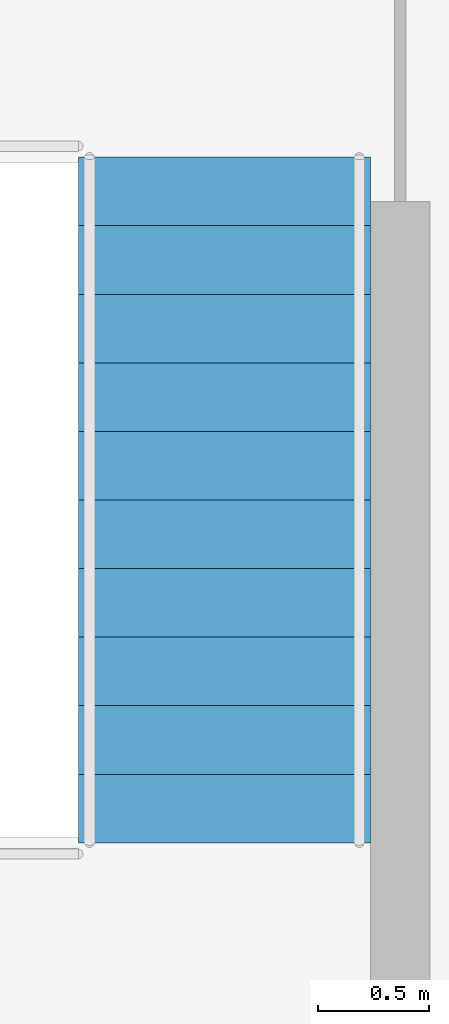
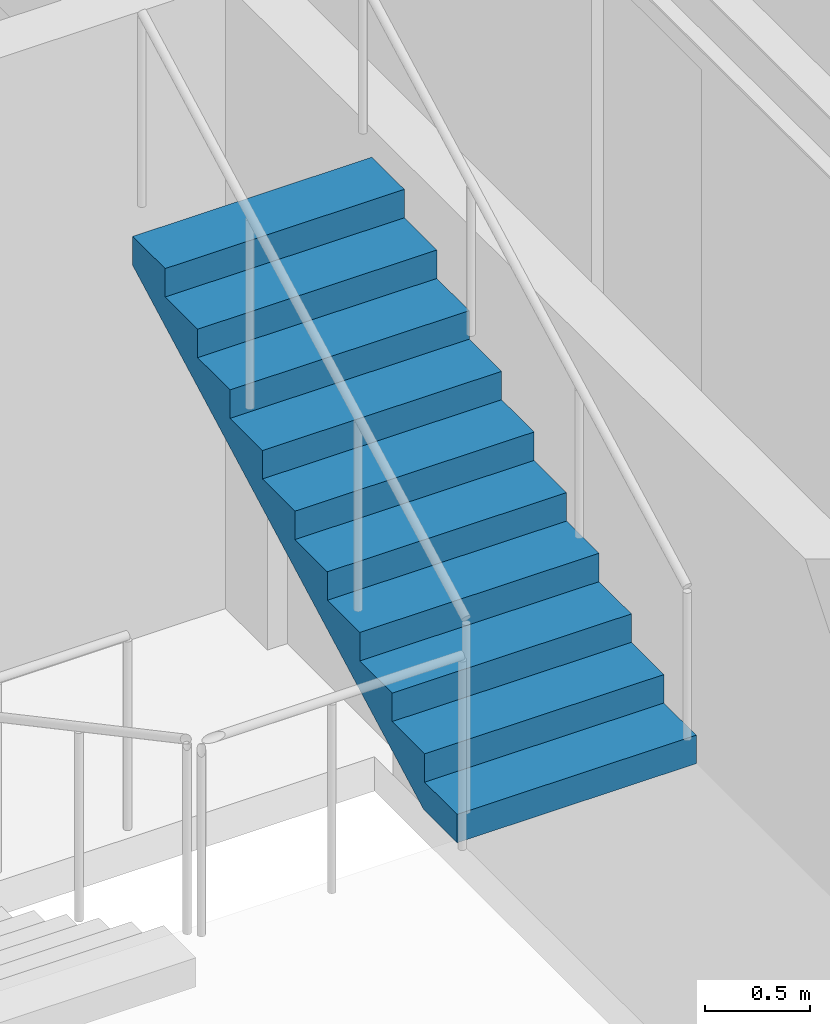
# One storey, part 21 of 23: 1 stair flight, 1 element without a shape of its own.
"""IFC4 building model written with IfcOpenShell, lengths in metres."""

from ifc_helpers import new_model, si_unit, direction, frame, origin, place, context, subcontext, project, spatial, polyline, outline, extrude, material, type_object, element, aggregate, save


model = new_model("IFC4")

# Units and contexts
model_context = context("Model", 3, precision=1e-05, world=origin(), true_north=direction((0.0, 1.0)))
body_context = subcontext(model_context, "Body", "Model", "MODEL_VIEW")
ifc_project = project(units=[si_unit("LENGTHUNIT", "METRE"), si_unit("AREAUNIT", "SQUARE_METRE"), si_unit("VOLUMEUNIT", "CUBIC_METRE"), si_unit("PLANEANGLEUNIT", "RADIAN"), si_unit("MASSUNIT", "GRAM", prefix="KILO")], contexts=[model_context])

# Site, building, storey
site_placement = place(None, origin())
site = spatial("IfcSite", under=ifc_project, at=site_placement, CompositionType="ELEMENT")
building_placement = place(site_placement, origin())
building = spatial("IfcBuilding", under=site, at=building_placement, Name="Lazwardi Medical Tower", CompositionType="ELEMENT")
storey_placement = place(building_placement, frame((0.0, 0.0, 205.77587890625)))
storey = spatial("IfcBuildingStorey", under=building, at=storey_placement, Name="L53", CompositionType="ELEMENT", Elevation=205.77587890625)

# Stair, stair flight
ifc_material = material(Name="Concrete C45/55", Category="concrete")
stair_type = type_object("IfcStairType", Name="STR-WRD", PredefinedType="HALF_TURN_STAIR", material=ifc_material)
stair_placement = place(storey_placement, origin())
stair = element("IfcStair", 1, at=stair_placement, inside=storey, type_object=stair_type, Name="L53 Protected Exit Stair ST3", PredefinedType="HALF_TURN_STAIR")
stair_flight_type = type_object("IfcStairFlightType", Name="FLT-WRD", PredefinedType="STRAIGHT", material=ifc_material)
stair_flight_placement = place(storey_placement, frame((49.6201171875, 27.300048828125, 1.82421875), z_axis=(0.0, 0.0, 1.0), x_axis=(0.0, 1.0, 0.0)))
stair_flight = element("IfcStairFlight", 2, at=stair_flight_placement, type_object=stair_flight_type, Name="ST3 flight 2", NumberOfRisers=11, NumberOfTreads=10, PredefinedType="STRAIGHT", RiserHeight=0.165818182, TreadLength=0.31, context=body_context, shape_type="SweptSolid", body=[
    extrude(outline(polyline([(0.0, 0.0), (0.0, 0.165771484375), (0.31005859375, 0.165771484375), (0.31005859375, 0.33154296875), (0.6201171875, 0.33154296875), (0.6201171875, 0.49755859375), (0.929931640625, 0.49755859375), (0.929931640625, 0.663330078125), (1.239990234375, 0.663330078125), (1.239990234375, 0.8291015625), (1.550048828125, 0.8291015625), (1.550048828125, 0.994873046875), (1.860107421875, 0.994873046875), (1.860107421875, 1.16064453125), (2.169921875, 1.16064453125), (2.169921875, 1.32666015625), (2.47998046875, 1.32666015625), (2.47998046875, 1.492431640625), (2.7900390625, 1.492431640625), (2.7900390625, 1.658203125), (3.10009765625, 1.658203125), (3.10009765625, 1.823974609375), (3.10009765625, 1.48828125), (0.31787109375, 0.0), (0.0, 0.0)])), frame((0.0, 0.66015625, 0.0), z_axis=(0.0, -1.0, 0.0), x_axis=(1.0, 0.0, 0.0)), (0.0, 0.0, 1.0), 1.320068359375),
])
aggregate(stair, [stair_flight])

save(model, "model.ifc")
